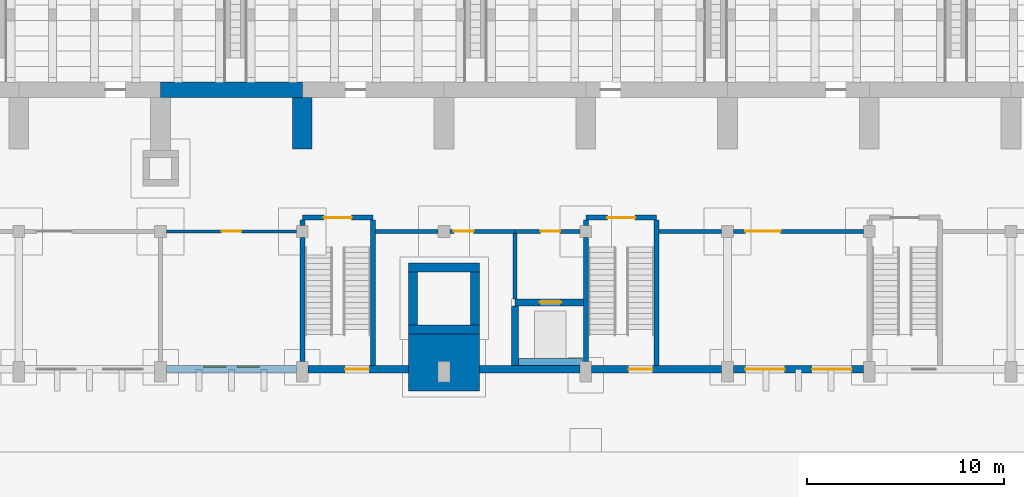
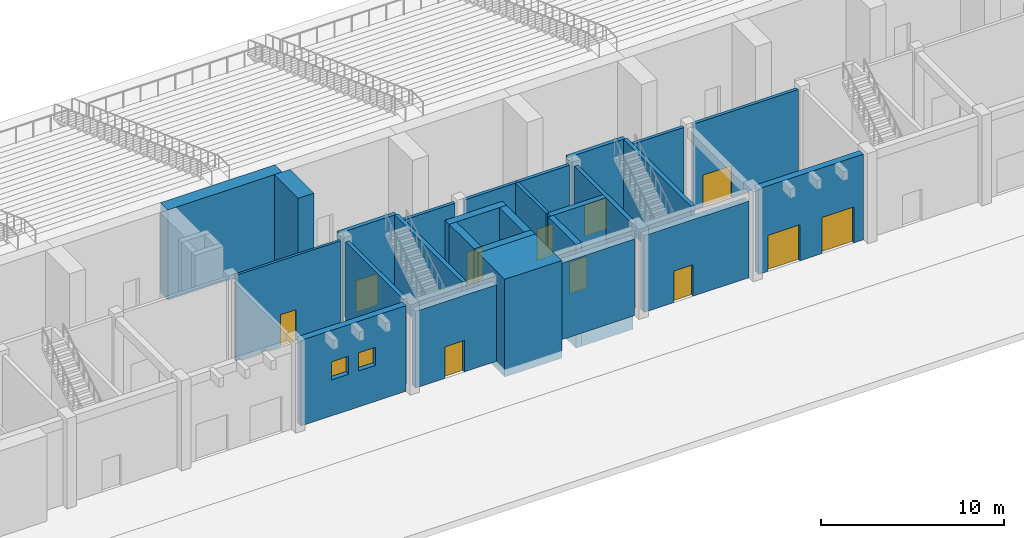
# One storey, part 42 of 70: 30 walls, 11 doors, 2 windows, 13 openings.
"""IFC4 building model written with IfcOpenShell, lengths in metres."""

from ifc_helpers import new_model, si_unit, direction, frame, frame_2d, origin, place, context, subcontext, project, spatial, rectangle, extrude, material, layer, layer_set, type_object, element, fill, save


model = new_model("IFC4")

# Units and contexts
model_context = context("Model", 3, precision=1e-05, world=origin(), true_north=direction((0.0, 1.0)))
body_context = subcontext(model_context, "Body", "Model", "MODEL_VIEW")
ifc_project = project(units=[si_unit("LENGTHUNIT", "METRE"), si_unit("AREAUNIT", "SQUARE_METRE"), si_unit("VOLUMEUNIT", "CUBIC_METRE"), si_unit("PLANEANGLEUNIT", "RADIAN"), si_unit("MASSUNIT", "GRAM", prefix="KILO")], contexts=[model_context])

# Site, building, storey
site_placement = place(None, origin())
site = spatial("IfcSite", under=ifc_project, at=site_placement, CompositionType="ELEMENT")
building_placement = place(site_placement, origin())
building = spatial("IfcBuilding", under=site, at=building_placement, Name="Vermilion Court Aquatics Centre", CompositionType="ELEMENT")
storey_placement = place(building_placement, origin())
storey = spatial("IfcBuildingStorey", under=building, at=storey_placement, Name="L00", CompositionType="ELEMENT", Elevation=0.0)

# Wall
ifc_material_1 = material(Name="Concrete 5000 psi", Category="concrete")
ifc_layer_1 = layer(ifc_material_1, 1.0)
ifc_layer_set_1 = layer_set([ifc_layer_1], Name="Roof buttress pier")
wall_type_1 = type_object("IfcWallType", Name="Roof buttress pier", PredefinedType="SOLIDWALL", material=ifc_layer_set_1)
wall_1_placement = place(storey_placement, frame((64.800048828125, 11.39990234375, 0.0), z_axis=(0.0, 0.0, 1.0), x_axis=(0.0, 1.0, 0.0)))
element("IfcWall", 1, at=wall_1_placement, inside=storey, type_object=wall_type_1, Name="Buttress pier BPS08", PredefinedType="SOLIDWALL", context=body_context, shape_type="SweptSolid", body=[
    extrude(rectangle(XDim=2.60009765625, YDim=1.0, at=frame_2d((1.300048828125, 0.0))), origin(), (0.0, 0.0, 1.0), 6.0),
])

# Wall, opening, door
ifc_material_2 = material(Name="Brick masonry", Category="masonry")
ifc_layer_2 = layer(ifc_material_2, 0.39990234375)
ifc_layer_set_2 = layer_set([ifc_layer_2], Name="South brick facade wall 400")
wall_type_2 = type_object("IfcWallType", Name="South brick facade wall 400", PredefinedType="SOLIDWALL", material=ifc_layer_set_2)
wall_2_placement = place(storey_placement, frame((65.10009765625, 0.199951171875, 0.0), z_axis=(0.0, 0.0, 1.0), x_axis=(1.0, 0.0, 0.0)))
wall_2 = element("IfcWall", 2, at=wall_2_placement, inside=storey, type_object=wall_type_2, Name="Brick facade wall", PredefinedType="SOLIDWALL", context=body_context, shape_type="SweptSolid", body=[
    extrude(rectangle(XDim=5.099853515625, YDim=0.39990234375, at=frame_2d((2.5498046875, 0.0))), origin(), (0.0, 0.0, 1.0), 5.10009765625),
])
opening_1_placement = place(wall_2_placement, frame((1.875, 0.0, 0.0)))
opening_1 = element("IfcOpeningElement", 3, at=opening_1_placement, cuts=wall_2, Name="Opening S00-009", PredefinedType="OPENING", context=body_context, shape_type="SweptSolid", body=[
    extrude(rectangle(XDim=1.199951171875, YDim=2.10009765625, at=frame_2d((0.60009765625, 1.050048828125))), frame((0.0, 0.2099609375, 0.0), z_axis=(0.0, -1.0, 0.0), x_axis=(1.0, 0.0, 0.0)), (0.0, 0.0, 1.0), 0.419921875),
])
ifc_material_3 = material(Name="Hollow metal", Category="metal")
door_type_1 = type_object("IfcDoorType", Name="South stair discharge door 1200", OperationType="SINGLE_SWING_LEFT", PredefinedType="DOOR", material=ifc_material_3)
door_1_placement = place(opening_1_placement, frame((1.199951171875, 0.0, 0.0), z_axis=(0.0, 0.0, 1.0), x_axis=(-1.0, 0.0, 0.0)))
door_1 = element("IfcDoor", 4, at=door_1_placement, inside=storey, type_object=door_type_1, Name="Exit stair S3 street door", OperationType="SINGLE_SWING_LEFT", OverallHeight=2.10009765625, OverallWidth=1.199951171875, PredefinedType="DOOR", context=body_context, shape_type="SweptSolid", body=[
    extrude(rectangle(XDim=1.199951171875, YDim=2.10009765625, at=frame_2d((0.599853515625, 1.050048828125))), frame((0.0, 0.025146484375, 0.0), z_axis=(0.0, -1.0, 0.0), x_axis=(1.0, 0.0, 0.0)), (0.0, 0.0, 1.0), 0.050048828125),
])
fill(opening_1, door_1)

# Wall
wall_3_placement = place(storey_placement, frame((73.800048828125, 0.199951171875, 0.0), z_axis=(0.0, 0.0, 1.0), x_axis=(1.0, 0.0, 0.0)))
element("IfcWall", 5, at=wall_3_placement, inside=storey, type_object=wall_type_2, Name="Brick facade wall", PredefinedType="SOLIDWALL", context=body_context, shape_type="SweptSolid", body=[
    extrude(rectangle(XDim=5.099853515625, YDim=0.39990234375, at=frame_2d((2.5498046875, 0.0))), origin(), (0.0, 0.0, 1.0), 5.10009765625),
])

# Wall, opening, door
wall_4_placement = place(storey_placement, frame((79.5, 0.199951171875, 0.0), z_axis=(0.0, 0.0, 1.0), x_axis=(1.0, 0.0, 0.0)))
wall_4 = element("IfcWall", 6, at=wall_4_placement, inside=storey, type_object=wall_type_2, Name="Brick facade wall", PredefinedType="SOLIDWALL", context=body_context, shape_type="SweptSolid", body=[
    extrude(rectangle(XDim=6.60009765625, YDim=0.39990234375, at=frame_2d((3.300048828125, 0.0))), origin(), (0.0, 0.0, 1.0), 5.10009765625),
])
opening_2_placement = place(wall_4_placement, frame((1.875, 0.0, 0.0)))
opening_2 = element("IfcOpeningElement", 7, at=opening_2_placement, cuts=wall_4, Name="Opening S00-010", PredefinedType="OPENING", context=body_context, shape_type="SweptSolid", body=[
    extrude(rectangle(XDim=1.199951171875, YDim=2.10009765625, at=frame_2d((0.60009765625, 1.050048828125))), frame((0.0, 0.2099609375, 0.0), z_axis=(0.0, -1.0, 0.0), x_axis=(1.0, 0.0, 0.0)), (0.0, 0.0, 1.0), 0.419921875),
])
door_2_placement = place(opening_2_placement, frame((1.199951171875, 0.0, 0.0), z_axis=(0.0, 0.0, 1.0), x_axis=(-1.0, 0.0, 0.0)))
door_2 = element("IfcDoor", 8, at=door_2_placement, inside=storey, type_object=door_type_1, Name="Exit stair S4 street door", OperationType="SINGLE_SWING_LEFT", OverallHeight=2.10009765625, OverallWidth=1.199951171875, PredefinedType="DOOR", context=body_context, shape_type="SweptSolid", body=[
    extrude(rectangle(XDim=1.199951171875, YDim=2.10009765625, at=frame_2d((0.599853515625, 1.050048828125))), frame((0.0, 0.025146484375, 0.0), z_axis=(0.0, -1.0, 0.0), x_axis=(1.0, 0.0, 0.0)), (0.0, 0.0, 1.0), 0.050048828125),
])
fill(opening_2, door_2)

# Wall
ifc_material_4 = material(Name="Brick masonry", Category="masonry")
ifc_layer_3 = layer(ifc_material_4, 2.89990234375)
ifc_layer_set_3 = layer_set([ifc_layer_3], Name="South chimney breast wall 2900")
wall_type_3 = type_object("IfcWallType", Name="South chimney breast wall 2900", PredefinedType="SOLIDWALL", material=ifc_layer_set_3)
wall_5_placement = place(storey_placement, frame((70.199951171875, 0.550048828125, -0.5), z_axis=(0.0, 0.0, 1.0), x_axis=(1.0, 0.0, 0.0)))
element("IfcWall", 9, at=wall_5_placement, inside=storey, type_object=wall_type_3, Name="Chimney breast", PredefinedType="SOLIDWALL", context=body_context, shape_type="SweptSolid", body=[
    extrude(rectangle(XDim=3.60009765625, YDim=2.89990234375, at=frame_2d((1.800048828125, 0.0))), origin(), (0.0, 0.0, 1.0), 6.5),
])

# Wall, opening, door
ifc_material_5 = material(Name="Concrete masonry ASTM C90 Type I", Category="masonry")
ifc_layer_4 = layer(ifc_material_5, 0.159912109375)
ifc_layer_set_4 = layer_set([ifc_layer_4], Name="South clinic partition 160")
wall_type_4 = type_object("IfcWallType", Name="South clinic partition 160", PredefinedType="PARTITIONING", material=ifc_layer_set_4)
wall_6_placement = place(storey_placement, frame((57.89990234375, 7.199951171875, 0.0), z_axis=(0.0, 0.0, 1.0), x_axis=(1.0, 0.0, 0.0)))
wall_6 = element("IfcWall", 10, at=wall_6_placement, inside=storey, type_object=wall_type_4, Name="Wall", PredefinedType="PARTITIONING", context=body_context, shape_type="SweptSolid", body=[
    extrude(rectangle(XDim=6.60009765625, YDim=0.159912109375, at=frame_2d((3.300048828125, 0.0))), origin(), (0.0, 0.0, 1.0), 5.699951171875),
])
opening_3_placement = place(wall_6_placement, frame((2.800048828125, 0.0, 0.0)))
opening_3 = element("IfcOpeningElement", 11, at=opening_3_placement, cuts=wall_6, Name="Opening S00-028", PredefinedType="OPENING", context=body_context, shape_type="SweptSolid", body=[
    extrude(rectangle(XDim=1.0, YDim=2.10009765625, at=frame_2d((0.5, 1.050048828125))), frame((0.0, 0.08984375, 0.0), z_axis=(0.0, -1.0, 0.0), x_axis=(1.0, 0.0, 0.0)), (0.0, 0.0, 1.0), 0.179931640625),
])
ifc_material_6 = material(Name="Timber door leaf", Category="wood")
door_type_2 = type_object("IfcDoorType", Name="South range single door 1000", OperationType="NOTDEFINED", PredefinedType="DOOR", material=ifc_material_6)
door_3_placement = place(opening_3_placement, frame((1.0, 0.0, 0.0), z_axis=(0.0, 0.0, 1.0), x_axis=(-1.0, 0.0, 0.0)))
door_3 = element("IfcDoor", 12, at=door_3_placement, inside=storey, type_object=door_type_2, Name="First Aid Room door", OperationType="SINGLE_SWING_RIGHT", OverallHeight=2.10009765625, OverallWidth=1.0, PredefinedType="DOOR", context=body_context, shape_type="SweptSolid", body=[
    extrude(rectangle(XDim=1.0, YDim=2.10009765625, at=frame_2d((0.5, 1.050048828125))), frame((0.0, 0.025146484375, 0.0), z_axis=(0.0, -1.0, 0.0), x_axis=(1.0, 0.0, 0.0)), (0.0, 0.0, 1.0), 0.050048828125),
])
fill(opening_3, door_3)

# Wall
ifc_material_7 = material(Name="Concrete masonry ASTM C90 Type I", Category="masonry")
ifc_layer_5 = layer(ifc_material_7, 0.199951171875)
ifc_layer_set_5 = layer_set([ifc_layer_5], Name="South fire-rated partition 200")
wall_type_5 = type_object("IfcWallType", Name="South fire-rated partition 200", PredefinedType="PARTITIONING", material=ifc_layer_set_5)
wall_7_placement = place(storey_placement, frame((75.60009765625, 3.77490234375, 0.0), z_axis=(0.0, 0.0, 1.0), x_axis=(0.0, 1.0, 0.0)))
element("IfcWall", 13, at=wall_7_placement, inside=storey, type_object=wall_type_5, Name="Wall", PredefinedType="PARTITIONING", context=body_context, shape_type="SweptSolid", body=[
    extrude(rectangle(XDim=3.3251953125, YDim=0.199951171875, at=frame_2d((1.66259765625, 0.0))), origin(), (0.0, 0.0, 1.0), 5.699951171875),
])

# Wall, opening, door
wall_8_placement = place(storey_placement, frame((75.60009765625, 7.199951171875, 0.0), z_axis=(0.0, 0.0, 1.0), x_axis=(1.0, 0.0, 0.0)))
wall_8 = element("IfcWall", 14, at=wall_8_placement, inside=storey, type_object=wall_type_5, Name="Wall", PredefinedType="PARTITIONING", context=body_context, shape_type="SweptSolid", body=[
    extrude(rectangle(XDim=3.2998046875, YDim=0.199951171875, at=frame_2d((1.64990234375, 0.0))), origin(), (0.0, 0.0, 1.0), 5.699951171875),
])
opening_4_placement = place(wall_8_placement, frame((1.300048828125, 0.0, 0.0)))
opening_4 = element("IfcOpeningElement", 15, at=opening_4_placement, cuts=wall_8, Name="Opening S00-035", PredefinedType="OPENING", context=body_context, shape_type="SweptSolid", body=[
    extrude(rectangle(XDim=1.0, YDim=2.10009765625, at=frame_2d((0.5, 1.050048828125))), frame((0.0, 0.10986328125, 0.0), z_axis=(0.0, -1.0, 0.0), x_axis=(1.0, 0.0, 0.0)), (0.0, 0.0, 1.0), 0.219970703125),
])
ifc_material_8 = material(Name="Hollow metal", Category="metal")
door_type_3 = type_object("IfcDoorType", Name="South lobby door 1000", OperationType="SINGLE_SWING_RIGHT", PredefinedType="DOOR", material=ifc_material_8)
door_4_placement = place(opening_4_placement, origin())
door_4 = element("IfcDoor", 16, at=door_4_placement, inside=storey, type_object=door_type_3, Name="Spectator lift lobby door", OperationType="SINGLE_SWING_RIGHT", OverallHeight=2.10009765625, OverallWidth=1.0, PredefinedType="DOOR", context=body_context, shape_type="SweptSolid", body=[
    extrude(rectangle(XDim=1.0, YDim=2.10009765625, at=frame_2d((0.5, 1.050048828125))), frame((0.0, 0.02490234375, 0.0), z_axis=(0.0, -1.0, 0.0), x_axis=(1.0, 0.0, 0.0)), (0.0, 0.0, 1.0), 0.050048828125),
])
fill(opening_4, door_4)

# Wall
wall_9_placement = place(storey_placement, frame((82.925048828125, 7.199951171875, 0.0), z_axis=(0.0, 0.0, 1.0), x_axis=(1.0, 0.0, 0.0)))
element("IfcWall", 17, at=wall_9_placement, inside=storey, type_object=wall_type_5, Name="Wall", PredefinedType="PARTITIONING", context=body_context, shape_type="SweptSolid", body=[
    extrude(rectangle(XDim=3.175048828125, YDim=0.199951171875, at=frame_2d((1.58740234375, 0.0))), origin(), (0.0, 0.0, 1.0), 5.699951171875),
])

# Wall, opening, door
wall_10_placement = place(storey_placement, frame((86.699951171875, 7.199951171875, 0.0), z_axis=(0.0, 0.0, 1.0), x_axis=(1.0, 0.0, 0.0)))
wall_10 = element("IfcWall", 18, at=wall_10_placement, inside=storey, type_object=wall_type_5, Name="Wall", PredefinedType="PARTITIONING", context=body_context, shape_type="SweptSolid", body=[
    extrude(rectangle(XDim=6.60009765625, YDim=0.199951171875, at=frame_2d((3.300048828125, 0.0))), origin(), (0.0, 0.0, 1.0), 5.699951171875),
])
opening_5_placement = place(wall_10_placement, frame((0.60009765625, 0.0, 0.0)))
opening_5 = element("IfcOpeningElement", 19, at=opening_5_placement, cuts=wall_10, Name="Opening S00-030", PredefinedType="OPENING", context=body_context, shape_type="SweptSolid", body=[
    extrude(rectangle(XDim=1.800048828125, YDim=2.10009765625, at=frame_2d((0.89990234375, 1.050048828125))), frame((0.0, 0.10986328125, 0.0), z_axis=(0.0, -1.0, 0.0), x_axis=(1.0, 0.0, 0.0)), (0.0, 0.0, 1.0), 0.219970703125),
])
ifc_material_9 = material(Name="Hollow metal", Category="metal")
door_type_4 = type_object("IfcDoorType", Name="South lobby double door 1800", OperationType="DOUBLE_DOOR_SINGLE_SWING", PredefinedType="DOOR", material=ifc_material_9)
door_5_placement = place(opening_5_placement, origin())
door_5 = element("IfcDoor", 20, at=door_5_placement, inside=storey, type_object=door_type_4, Name="Entrance Lobby Central door", OperationType="DOUBLE_DOOR_SINGLE_SWING", OverallHeight=2.10009765625, OverallWidth=1.800048828125, PredefinedType="DOOR", context=body_context, shape_type="SweptSolid", body=[
    extrude(rectangle(XDim=1.800048828125, YDim=2.10009765625, at=frame_2d((0.89990234375, 1.050048828125))), frame((0.0, 0.02490234375, 0.0), z_axis=(0.0, -1.0, 0.0), x_axis=(1.0, 0.0, 0.0)), (0.0, 0.0, 1.0), 0.050048828125),
])
fill(opening_5, door_5)

# Walls
ifc_material_10 = material(Name="Concrete 5000 psi", Category="concrete")
ifc_layer_6 = layer(ifc_material_10, 0.35009765625)
ifc_layer_set_6 = layer_set([ifc_layer_6], Name="South lift pit wall 350")
wall_type_6 = type_object("IfcWallType", Name="South lift pit wall 350", PredefinedType="SOLIDWALL", material=ifc_layer_set_6)
wall_11_placement = place(storey_placement, frame((75.77490234375, 0.574951171875, -1.199951171875), z_axis=(0.0, 0.0, 1.0), x_axis=(1.0, 0.0, 0.0)))
element("IfcWall", 21, at=wall_11_placement, inside=storey, type_object=wall_type_6, Name="Lift pit wall", PredefinedType="SOLIDWALL", context=body_context, shape_type="SweptSolid", body=[
    extrude(rectangle(XDim=3.25, YDim=0.35009765625, at=frame_2d((1.625, 0.0))), origin(), (0.0, 0.0, 1.0), 1.199951171875),
])
ifc_material_11 = material(Name="Concrete 5000 psi", Category="concrete")
ifc_layer_7 = layer(ifc_material_11, 0.35009765625)
ifc_layer_set_7 = layer_set([ifc_layer_7], Name="South lift shaft wall 350")
wall_type_7 = type_object("IfcWallType", Name="South lift shaft wall 350", PredefinedType="SOLIDWALL", material=ifc_layer_set_7)
wall_12_placement = place(storey_placement, frame((75.60009765625, 0.39990234375, -1.199951171875), z_axis=(0.0, 0.0, 1.0), x_axis=(0.0, 1.0, 0.0)))
element("IfcWall", 22, at=wall_12_placement, inside=storey, type_object=wall_type_7, Name="Lift shaft wall", PredefinedType="SOLIDWALL", context=body_context, shape_type="SweptSolid", body=[
    extrude(rectangle(XDim=3.025146484375, YDim=0.35009765625, at=frame_2d((1.5126953125, 0.0))), origin(), (0.0, 0.0, 1.0), 6.89990234375),
])

# Wall, opening, door
wall_13_placement = place(storey_placement, frame((75.60009765625, 3.60009765625, -1.199951171875), z_axis=(0.0, 0.0, 1.0), x_axis=(1.0, 0.0, 0.0)))
wall_13 = element("IfcWall", 23, at=wall_13_placement, inside=storey, type_object=wall_type_7, Name="Lift shaft wall", PredefinedType="SOLIDWALL", context=body_context, shape_type="SweptSolid", body=[
    extrude(rectangle(XDim=3.474853515625, YDim=0.35009765625, at=frame_2d((1.7373046875, 0.0))), origin(), (0.0, 0.0, 1.0), 6.89990234375),
])
opening_6_placement = place(wall_13_placement, frame((1.25, 0.0, 1.199951171875)))
opening_6 = element("IfcOpeningElement", 24, at=opening_6_placement, cuts=wall_13, Name="Opening LD0-S1", PredefinedType="OPENING", context=body_context, shape_type="SweptSolid", body=[
    extrude(rectangle(XDim=1.10009765625, YDim=2.10009765625, at=frame_2d((0.550048828125, 1.050048828125))), frame((0.0, 0.18505859375, 0.0), z_axis=(0.0, -1.0, 0.0), x_axis=(1.0, 0.0, 0.0)), (0.0, 0.0, 1.0), 0.3701171875),
])
ifc_material_12 = material(Name="Hollow metal", Category="metal")
door_type_5 = type_object("IfcDoorType", Name="South lift landing door 1100", OperationType="DOUBLE_DOOR_SLIDING", PredefinedType="DOOR", material=ifc_material_12)
door_6_placement = place(opening_6_placement, origin())
door_6 = element("IfcDoor", 25, at=door_6_placement, inside=storey, type_object=door_type_5, Name="Lift landing door", OperationType="DOUBLE_DOOR_SLIDING", OverallHeight=2.10009765625, OverallWidth=1.10009765625, PredefinedType="DOOR", context=body_context, shape_type="SweptSolid", body=[
    extrude(rectangle(XDim=1.10009765625, YDim=2.10009765625, at=frame_2d((0.550048828125, 1.050048828125))), frame((0.0, 0.02490234375, 0.0), z_axis=(0.0, -1.0, 0.0), x_axis=(1.0, 0.0, 0.0)), (0.0, 0.0, 1.0), 0.050048828125),
])
fill(opening_6, door_6)

# Wall, openings, windows
ifc_material_13 = material(Name="Brick masonry", Category="masonry")
ifc_layer_8 = layer(ifc_material_13, 0.39990234375)
ifc_layer_set_8 = layer_set([ifc_layer_8], Name="South oriel base wall 400")
wall_type_8 = type_object("IfcWallType", Name="South oriel base wall 400", PredefinedType="SOLIDWALL", material=ifc_layer_set_8)
wall_14_placement = place(storey_placement, frame((57.89990234375, 0.199951171875, 0.0), z_axis=(0.0, 0.0, 1.0), x_axis=(1.0, 0.0, 0.0)))
wall_14 = element("IfcWall", 26, at=wall_14_placement, inside=storey, type_object=wall_type_8, Name="Brick facade wall", PredefinedType="SOLIDWALL", context=body_context, shape_type="SweptSolid", body=[
    extrude(rectangle(XDim=6.60009765625, YDim=0.39990234375, at=frame_2d((3.300048828125, 0.0))), origin(), (0.0, 0.0, 1.0), 5.699951171875),
])
opening_7_placement = place(wall_14_placement, frame((1.89990234375, 0.0, 2.39990234375)))
opening_7 = element("IfcOpeningElement", 27, at=opening_7_placement, cuts=wall_14, Name="Opening SWN1", PredefinedType="OPENING", context=body_context, shape_type="SweptSolid", body=[
    extrude(rectangle(XDim=1.10009765625, YDim=1.199951171875, at=frame_2d((0.550048828125, 0.60009765625))), frame((0.0, 0.2099609375, 0.0), z_axis=(0.0, -1.0, 0.0), x_axis=(1.0, 0.0, 0.0)), (0.0, 0.0, 1.0), 0.419921875),
])
opening_8_placement = place(wall_14_placement, frame((3.60009765625, 0.0, 2.39990234375)))
opening_8 = element("IfcOpeningElement", 28, at=opening_8_placement, cuts=wall_14, Name="Opening SWN1", PredefinedType="OPENING", context=body_context, shape_type="SweptSolid", body=[
    extrude(rectangle(XDim=1.10009765625, YDim=1.199951171875, at=frame_2d((0.550048828125, 0.60009765625))), frame((0.0, 0.2099609375, 0.0), z_axis=(0.0, -1.0, 0.0), x_axis=(1.0, 0.0, 0.0)), (0.0, 0.0, 1.0), 0.419921875),
])
ifc_material_14 = material(Name="Aluminium 6063-T5", Category="aluminium")
window_type = type_object("IfcWindowType", Name="South window 1100x1200", PartitioningType="DOUBLE_PANEL_VERTICAL", PredefinedType="WINDOW", material=ifc_material_14)
window_1_placement = place(opening_7_placement, origin())
window_1 = element("IfcWindow", 29, at=window_1_placement, inside=storey, type_object=window_type, Name="Facade window", OverallHeight=1.199951171875, OverallWidth=1.10009765625, PartitioningType="DOUBLE_PANEL_VERTICAL", PredefinedType="WINDOW", context=body_context, shape_type="SweptSolid", body=[
    extrude(rectangle(XDim=1.10009765625, YDim=1.199951171875, at=frame_2d((0.550048828125, 0.60009765625))), frame((0.0, 0.159912109375, 0.0), z_axis=(0.0, -1.0, 0.0), x_axis=(1.0, 0.0, 0.0)), (0.0, 0.0, 1.0), 0.06005859375),
])
fill(opening_7, window_1)
window_2_placement = place(opening_8_placement, origin())
window_2 = element("IfcWindow", 30, at=window_2_placement, inside=storey, type_object=window_type, Name="Facade window", OverallHeight=1.199951171875, OverallWidth=1.10009765625, PartitioningType="DOUBLE_PANEL_VERTICAL", PredefinedType="WINDOW", context=body_context, shape_type="SweptSolid", body=[
    extrude(rectangle(XDim=1.10009765625, YDim=1.199951171875, at=frame_2d((0.550048828125, 0.60009765625))), frame((0.0, 0.159912109375, 0.0), z_axis=(0.0, -1.0, 0.0), x_axis=(1.0, 0.0, 0.0)), (0.0, 0.0, 1.0), 0.06005859375),
])
fill(opening_8, window_2)

# Wall, openings, doors
wall_15_placement = place(storey_placement, frame((86.699951171875, 0.199951171875, 0.0), z_axis=(0.0, 0.0, 1.0), x_axis=(1.0, 0.0, 0.0)))
wall_15 = element("IfcWall", 31, at=wall_15_placement, inside=storey, type_object=wall_type_8, Name="Brick facade wall", PredefinedType="SOLIDWALL", context=body_context, shape_type="SweptSolid", body=[
    extrude(rectangle(XDim=6.60009765625, YDim=0.39990234375, at=frame_2d((3.300048828125, 0.0))), origin(), (0.0, 0.0, 1.0), 5.699951171875),
])
opening_9_placement = place(wall_15_placement, frame((0.60009765625, 0.0, 0.0)))
opening_9 = element("IfcOpeningElement", 32, at=opening_9_placement, cuts=wall_15, Name="Opening S00-003", PredefinedType="OPENING", context=body_context, shape_type="SweptSolid", body=[
    extrude(rectangle(XDim=2.0, YDim=2.39990234375, at=frame_2d((1.0, 1.199951171875))), frame((0.0, 0.2099609375, 0.0), z_axis=(0.0, -1.0, 0.0), x_axis=(1.0, 0.0, 0.0)), (0.0, 0.0, 1.0), 0.419921875),
])
opening_10_placement = place(wall_15_placement, frame((4.0, 0.0, 0.0)))
opening_10 = element("IfcOpeningElement", 33, at=opening_10_placement, cuts=wall_15, Name="Opening S00-004", PredefinedType="OPENING", context=body_context, shape_type="SweptSolid", body=[
    extrude(rectangle(XDim=2.0, YDim=2.39990234375, at=frame_2d((1.0, 1.199951171875))), frame((0.0, 0.2099609375, 0.0), z_axis=(0.0, -1.0, 0.0), x_axis=(1.0, 0.0, 0.0)), (0.0, 0.0, 1.0), 0.419921875),
])
ifc_material_15 = material(Name="Hollow metal", Category="metal")
door_type_6 = type_object("IfcDoorType", Name="South street exit door 2000x2400", OperationType="DOUBLE_DOOR_SINGLE_SWING", PredefinedType="DOOR", material=ifc_material_15)
door_7_placement = place(opening_9_placement, frame((2.0, 0.0, 0.0), z_axis=(0.0, 0.0, 1.0), x_axis=(-1.0, 0.0, 0.0)))
door_7 = element("IfcDoor", 34, at=door_7_placement, inside=storey, type_object=door_type_6, Name="South street exit door", OperationType="DOUBLE_DOOR_SINGLE_SWING", OverallHeight=2.39990234375, OverallWidth=2.0, PredefinedType="DOOR", context=body_context, shape_type="SweptSolid", body=[
    extrude(rectangle(XDim=2.0, YDim=2.39990234375, at=frame_2d((1.0, 1.199951171875))), frame((0.0, 0.025146484375, 0.0), z_axis=(0.0, -1.0, 0.0), x_axis=(1.0, 0.0, 0.0)), (0.0, 0.0, 1.0), 0.050048828125),
])
fill(opening_9, door_7)
door_8_placement = place(opening_10_placement, frame((2.0, 0.0, 0.0), z_axis=(0.0, 0.0, 1.0), x_axis=(-1.0, 0.0, 0.0)))
door_8 = element("IfcDoor", 35, at=door_8_placement, inside=storey, type_object=door_type_6, Name="South street exit door", OperationType="DOUBLE_DOOR_SINGLE_SWING", OverallHeight=2.39990234375, OverallWidth=2.0, PredefinedType="DOOR", context=body_context, shape_type="SweptSolid", body=[
    extrude(rectangle(XDim=2.0, YDim=2.39990234375, at=frame_2d((1.0, 1.199951171875))), frame((0.0, 0.025146484375, 0.0), z_axis=(0.0, -1.0, 0.0), x_axis=(1.0, 0.0, 0.0)), (0.0, 0.0, 1.0), 0.050048828125),
])
fill(opening_10, door_8)

# Wall
ifc_material_16 = material(Name="Concrete masonry ASTM C90 Type I", Category="masonry")
ifc_layer_9 = layer(ifc_material_16, 0.199951171875)
ifc_layer_set_9 = layer_set([ifc_layer_9], Name="South partition wall 200")
wall_type_9 = type_object("IfcWallType", Name="South partition wall 200", PredefinedType="PARTITIONING", material=ifc_layer_set_9)
wall_16_placement = place(storey_placement, frame((68.52490234375, 7.199951171875, 0.0), z_axis=(0.0, 0.0, 1.0), x_axis=(1.0, 0.0, 0.0)))
element("IfcWall", 36, at=wall_16_placement, inside=storey, type_object=wall_type_9, Name="Partition wall", PredefinedType="PARTITIONING", context=body_context, shape_type="SweptSolid", body=[
    extrude(rectangle(XDim=3.175048828125, YDim=0.199951171875, at=frame_2d((1.58740234375, 0.0))), origin(), (0.0, 0.0, 1.0), 5.699951171875),
])

# Wall, opening, door
wall_17_placement = place(storey_placement, frame((72.300048828125, 7.199951171875, 0.0), z_axis=(0.0, 0.0, 1.0), x_axis=(1.0, 0.0, 0.0)))
wall_17 = element("IfcWall", 37, at=wall_17_placement, inside=storey, type_object=wall_type_9, Name="Partition wall", PredefinedType="PARTITIONING", context=body_context, shape_type="SweptSolid", body=[
    extrude(rectangle(XDim=3.300048828125, YDim=0.199951171875, at=frame_2d((1.64990234375, 0.0))), origin(), (0.0, 0.0, 1.0), 5.699951171875),
])
opening_11_placement = place(wall_17_placement, frame((0.199951171875, 0.0, 0.0)))
opening_11 = element("IfcOpeningElement", 38, at=opening_11_placement, cuts=wall_17, Name="Opening S00-029", PredefinedType="OPENING", context=body_context, shape_type="SweptSolid", body=[
    extrude(rectangle(XDim=1.0, YDim=2.10009765625, at=frame_2d((0.5, 1.050048828125))), frame((0.0, 0.10986328125, 0.0), z_axis=(0.0, -1.0, 0.0), x_axis=(1.0, 0.0, 0.0)), (0.0, 0.0, 1.0), 0.219970703125),
])
door_9_placement = place(opening_11_placement, frame((1.0, 0.0, 0.0), z_axis=(0.0, 0.0, 1.0), x_axis=(-1.0, 0.0, 0.0)))
door_9 = element("IfcDoor", 39, at=door_9_placement, inside=storey, type_object=door_type_2, Name="Team Changing door", OperationType="SINGLE_SWING_RIGHT", OverallHeight=2.10009765625, OverallWidth=1.0, PredefinedType="DOOR", context=body_context, shape_type="SweptSolid", body=[
    extrude(rectangle(XDim=1.0, YDim=2.10009765625, at=frame_2d((0.5, 1.050048828125))), frame((0.0, 0.025146484375, 0.0), z_axis=(0.0, -1.0, 0.0), x_axis=(1.0, 0.0, 0.0)), (0.0, 0.0, 1.0), 0.050048828125),
])
fill(opening_11, door_9)

# Walls
ifc_material_17 = material(Name="Concrete 5000 psi", Category="concrete")
ifc_layer_10 = layer(ifc_material_17, 0.449951171875)
ifc_layer_set_10 = layer_set([ifc_layer_10], Name="South plant stack support wall 450")
wall_type_10 = type_object("IfcWallType", Name="South plant stack support wall 450", PredefinedType="SOLIDWALL", material=ifc_layer_set_10)
for number, where, z_axis, x_axis, name in (
    (40, (70.199951171875, 5.375, 0.0), (0.0, 0.0, 1.0), (1.0, 0.0, 0.0), "Stack support wall"),
    (41, (70.199951171875, 2.22509765625, 0.0), (0.0, 0.0, 1.0), (1.0, 0.0, 0.0), "Stack support wall"),
):
    element("IfcWall", number, at=place(storey_placement, frame(where, z_axis=z_axis, x_axis=x_axis)), inside=storey, type_object=wall_type_10, Name=name, PredefinedType="SOLIDWALL", context=body_context, shape_type="SweptSolid", body=[
        extrude(rectangle(XDim=3.60009765625, YDim=0.449951171875, at=frame_2d((1.800048828125, 0.0))), origin(), (0.0, 0.0, 1.0), 6.0),
    ])
for number, where, z_axis, x_axis, name in (
    (42, (73.574951171875, 2.449951171875, 0.0), (0.0, 0.0, 1.0), (0.0, 1.0, 0.0), "Stack support wall"),
    (43, (70.425048828125, 2.449951171875, 0.0), (0.0, 0.0, 1.0), (0.0, 1.0, 0.0), "Stack support wall"),
):
    element("IfcWall", number, at=place(storey_placement, frame(where, z_axis=z_axis, x_axis=x_axis)), inside=storey, type_object=wall_type_10, Name=name, PredefinedType="SOLIDWALL", context=body_context, shape_type="SweptSolid", body=[
        extrude(rectangle(XDim=2.699951171875, YDim=0.449951171875, at=frame_2d((1.35009765625, 0.0))), origin(), (0.0, 0.0, 1.0), 6.0),
    ])
ifc_material_18 = material(Name="Concrete 5000 psi", Category="concrete")
ifc_layer_11 = layer(ifc_material_18, 0.25)
ifc_layer_set_11 = layer_set([ifc_layer_11], Name="South stair wall 250")
wall_type_11 = type_object("IfcWallType", Name="South stair wall 250", PredefinedType="SOLIDWALL", material=ifc_layer_set_11)
wall_18_placement = place(storey_placement, frame((64.800048828125, 0.60009765625, 0.0), z_axis=(0.0, 0.0, 1.0), x_axis=(0.0, 1.0, 0.0)))
element("IfcWall", 44, at=wall_18_placement, inside=storey, type_object=wall_type_11, Name="Stair enclosure wall", PredefinedType="SOLIDWALL", context=body_context, shape_type="SweptSolid", body=[
    extrude(rectangle(XDim=6.2998046875, YDim=0.25, at=frame_2d((3.14990234375, 0.0))), origin(), (0.0, 0.0, 1.0), 5.699951171875),
])
wall_19_placement = place(storey_placement, frame((64.800048828125, 7.5, 0.0), z_axis=(0.0, 0.0, 1.0), x_axis=(0.0, 1.0, 0.0)))
element("IfcWall", 45, at=wall_19_placement, inside=storey, type_object=wall_type_11, Name="Stair enclosure wall", PredefinedType="SOLIDWALL", context=body_context, shape_type="SweptSolid", body=[
    extrude(rectangle(XDim=0.27490234375, YDim=0.25, at=frame_2d((0.137451171875, 0.0))), origin(), (0.0, 0.0, 1.0), 5.699951171875),
])
wall_20_placement = place(storey_placement, frame((68.39990234375, 0.39990234375, 0.0), z_axis=(0.0, 0.0, 1.0), x_axis=(0.0, 1.0, 0.0)))
element("IfcWall", 46, at=wall_20_placement, inside=storey, type_object=wall_type_11, Name="Stair enclosure wall", PredefinedType="SOLIDWALL", context=body_context, shape_type="SweptSolid", body=[
    extrude(rectangle(XDim=7.375, YDim=0.25, at=frame_2d((3.6875, 0.0))), origin(), (0.0, 0.0, 1.0), 5.699951171875),
])
wall_21_placement = place(storey_placement, frame((79.199951171875, 0.60009765625, 0.0), z_axis=(0.0, 0.0, 1.0), x_axis=(0.0, 1.0, 0.0)))
element("IfcWall", 47, at=wall_21_placement, inside=storey, type_object=wall_type_11, Name="Stair enclosure wall", PredefinedType="SOLIDWALL", context=body_context, shape_type="SweptSolid", body=[
    extrude(rectangle(XDim=6.2998046875, YDim=0.25, at=frame_2d((3.14990234375, 0.0))), origin(), (0.0, 0.0, 1.0), 5.699951171875),
])
wall_22_placement = place(storey_placement, frame((79.199951171875, 7.5, 0.0), z_axis=(0.0, 0.0, 1.0), x_axis=(0.0, 1.0, 0.0)))
element("IfcWall", 48, at=wall_22_placement, inside=storey, type_object=wall_type_11, Name="Stair enclosure wall", PredefinedType="SOLIDWALL", context=body_context, shape_type="SweptSolid", body=[
    extrude(rectangle(XDim=0.27490234375, YDim=0.25, at=frame_2d((0.137451171875, 0.0))), origin(), (0.0, 0.0, 1.0), 5.699951171875),
])
wall_23_placement = place(storey_placement, frame((82.800048828125, 0.39990234375, 0.0), z_axis=(0.0, 0.0, 1.0), x_axis=(0.0, 1.0, 0.0)))
element("IfcWall", 49, at=wall_23_placement, inside=storey, type_object=wall_type_11, Name="Stair enclosure wall", PredefinedType="SOLIDWALL", context=body_context, shape_type="SweptSolid", body=[
    extrude(rectangle(XDim=7.375, YDim=0.25, at=frame_2d((3.6875, 0.0))), origin(), (0.0, 0.0, 1.0), 5.699951171875),
])

# Wall, opening, door
wall_24_placement = place(storey_placement, frame((64.800048828125, 7.89990234375, 0.0), z_axis=(0.0, 0.0, 1.0), x_axis=(1.0, 0.0, 0.0)))
wall_24 = element("IfcWall", 50, at=wall_24_placement, inside=storey, type_object=wall_type_11, Name="Stair enclosure wall", PredefinedType="SOLIDWALL", context=body_context, shape_type="SweptSolid", body=[
    extrude(rectangle(XDim=3.599853515625, YDim=0.25, at=frame_2d((1.7998046875, 0.0))), origin(), (0.0, 0.0, 1.0), 5.699951171875),
])
opening_12_placement = place(wall_24_placement, frame((1.10009765625, 0.0, 0.0)))
opening_12 = element("IfcOpeningElement", 51, at=opening_12_placement, cuts=wall_24, Name="Opening S00-017", PredefinedType="OPENING", context=body_context, shape_type="SweptSolid", body=[
    extrude(rectangle(XDim=1.39990234375, YDim=2.10009765625, at=frame_2d((0.699951171875, 1.050048828125))), frame((0.0, 0.135009765625, 0.0), z_axis=(0.0, -1.0, 0.0), x_axis=(1.0, 0.0, 0.0)), (0.0, 0.0, 1.0), 0.27001953125),
])
ifc_material_19 = material(Name="Hollow metal", Category="metal")
door_type_7 = type_object("IfcDoorType", Name="South stair door 1400", OperationType="DOUBLE_DOOR_SINGLE_SWING", PredefinedType="DOOR", material=ifc_material_19)
door_10_placement = place(opening_12_placement, origin())
door_10 = element("IfcDoor", 52, at=door_10_placement, inside=storey, type_object=door_type_7, Name="Exit stair S3 door", OperationType="DOUBLE_DOOR_SINGLE_SWING", OverallHeight=2.10009765625, OverallWidth=1.39990234375, PredefinedType="DOOR", context=body_context, shape_type="SweptSolid", body=[
    extrude(rectangle(XDim=1.39990234375, YDim=2.10009765625, at=frame_2d((0.699951171875, 1.050048828125))), frame((0.0, 0.02490234375, 0.0), z_axis=(0.0, -1.0, 0.0), x_axis=(1.0, 0.0, 0.0)), (0.0, 0.0, 1.0), 0.050048828125),
])
fill(opening_12, door_10)

wall_25_placement = place(storey_placement, frame((79.199951171875, 7.89990234375, 0.0), z_axis=(0.0, 0.0, 1.0), x_axis=(1.0, 0.0, 0.0)))
wall_25 = element("IfcWall", 53, at=wall_25_placement, inside=storey, type_object=wall_type_11, Name="Stair enclosure wall", PredefinedType="SOLIDWALL", context=body_context, shape_type="SweptSolid", body=[
    extrude(rectangle(XDim=3.60009765625, YDim=0.25, at=frame_2d((1.800048828125, 0.0))), origin(), (0.0, 0.0, 1.0), 5.699951171875),
])
opening_13_placement = place(wall_25_placement, frame((1.10009765625, 0.0, 0.0)))
opening_13 = element("IfcOpeningElement", 54, at=opening_13_placement, cuts=wall_25, Name="Opening S00-018", PredefinedType="OPENING", context=body_context, shape_type="SweptSolid", body=[
    extrude(rectangle(XDim=1.39990234375, YDim=2.10009765625, at=frame_2d((0.699951171875, 1.050048828125))), frame((0.0, 0.135009765625, 0.0), z_axis=(0.0, -1.0, 0.0), x_axis=(1.0, 0.0, 0.0)), (0.0, 0.0, 1.0), 0.27001953125),
])
door_11_placement = place(opening_13_placement, origin())
door_11 = element("IfcDoor", 55, at=door_11_placement, inside=storey, type_object=door_type_7, Name="Exit stair S4 door", OperationType="DOUBLE_DOOR_SINGLE_SWING", OverallHeight=2.10009765625, OverallWidth=1.39990234375, PredefinedType="DOOR", context=body_context, shape_type="SweptSolid", body=[
    extrude(rectangle(XDim=1.39990234375, YDim=2.10009765625, at=frame_2d((0.699951171875, 1.050048828125))), frame((0.0, 0.02490234375, 0.0), z_axis=(0.0, -1.0, 0.0), x_axis=(1.0, 0.0, 0.0)), (0.0, 0.0, 1.0), 0.050048828125),
])
fill(opening_13, door_11)

# Wall
ifc_material_20 = material(Name="Concrete 5000 psi", Category="concrete")
ifc_layer_12 = layer(ifc_material_20, 0.800048828125)
ifc_layer_set_12 = layer_set([ifc_layer_12], Name="Tribune back wall 800")
wall_type_12 = type_object("IfcWallType", Name="Tribune back wall 800", PredefinedType="SOLIDWALL", material=ifc_layer_set_12)
wall_26_placement = place(storey_placement, frame((57.60009765625, 14.39990234375, 0.0), z_axis=(0.0, 0.0, 1.0), x_axis=(1.0, 0.0, 0.0)))
element("IfcWall", 56, at=wall_26_placement, inside=storey, type_object=wall_type_12, Name="South hall wall", PredefinedType="SOLIDWALL", context=body_context, shape_type="SweptSolid", body=[
    extrude(rectangle(XDim=7.199951171875, YDim=0.800048828125, at=frame_2d((3.60009765625, 0.0))), origin(), (0.0, 0.0, 1.0), 6.0),
])

save(model, "model.ifc")
